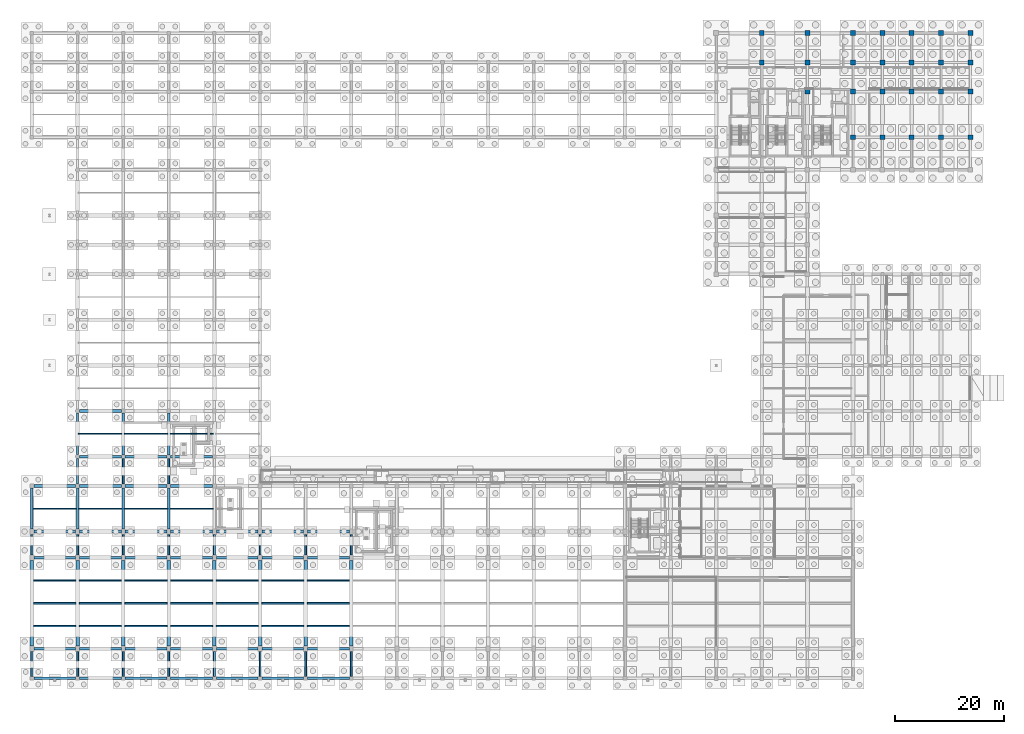
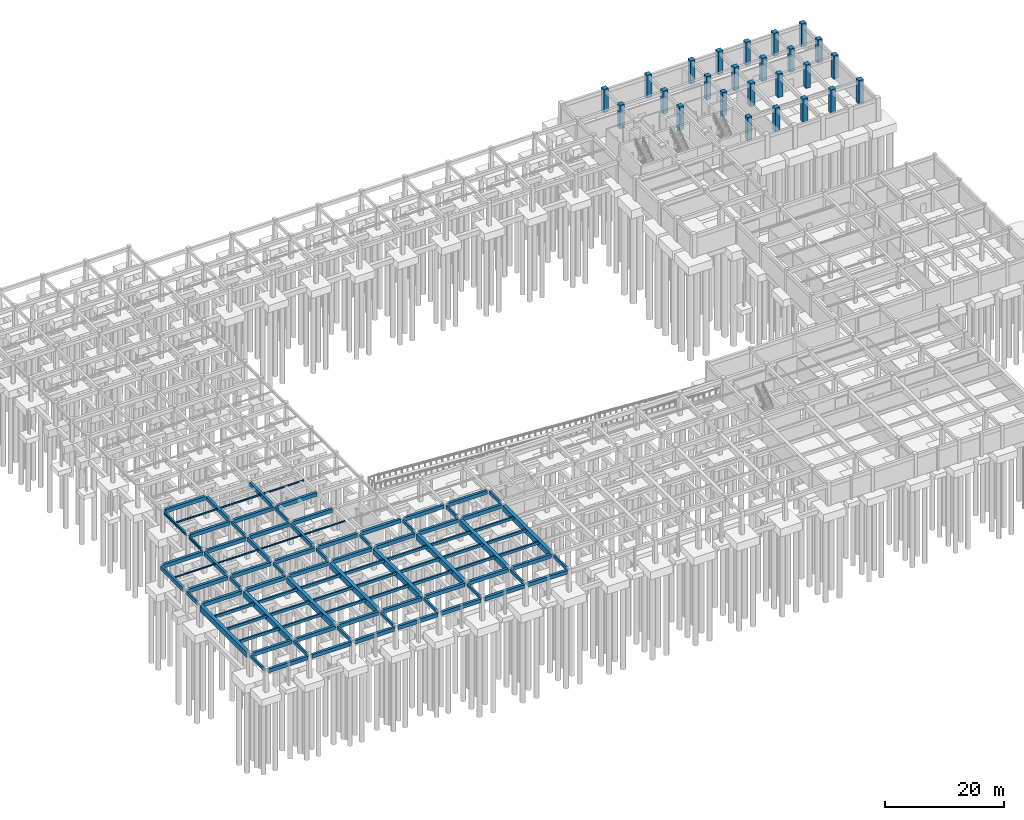
# One storey, part 26 of 49: 98 beams, 25 columns.
"""IFC4 building model written with IfcOpenShell, lengths in metres."""

from ifc_helpers import new_model, si_unit, direction, frame, origin, origin_2d, place, context, subcontext, project, spatial, rectangle, i_section, extrude, material, material_profile, profile_set, type_object, element, save


model = new_model("IFC4")

# Units and contexts
model_context = context("Model", 3, precision=1e-05, world=origin(), true_north=direction((0.0, 1.0)))
body_context = subcontext(model_context, "Body", "Model", "MODEL_VIEW")
ifc_project = project(units=[si_unit("LENGTHUNIT", "METRE"), si_unit("AREAUNIT", "SQUARE_METRE"), si_unit("VOLUMEUNIT", "CUBIC_METRE"), si_unit("PLANEANGLEUNIT", "RADIAN"), si_unit("MASSUNIT", "GRAM", prefix="KILO")], contexts=[model_context])

# Site, building, storey
site_placement = place(None, origin())
site = spatial("IfcSite", under=ifc_project, at=site_placement, CompositionType="ELEMENT")
building_placement = place(site_placement, origin())
building = spatial("IfcBuilding", under=site, at=building_placement, Name="Krzemoval Escarpment Law Courts", CompositionType="ELEMENT")
storey_placement = place(building_placement, frame((0.0, 0.0, -4.800048828125)))
storey = spatial("IfcBuildingStorey", under=building, at=storey_placement, Name="B1", CompositionType="ELEMENT", Elevation=-4.800048828125)

# Columns
ifc_material_1 = material(Name="Concrete C50/60", Category="concrete")
ifc_material_profile_1 = material_profile(ifc_material_1, rectangle(XDim=0.89990234375, YDim=0.89990234375, at=origin_2d()), Name="RC 900x900")
ifc_profile_set_1 = profile_set([ifc_material_profile_1], Name="Concrete C50/60")
column_type = type_object("IfcColumnType", Name="COL-RC-900", PredefinedType="COLUMN", material=ifc_profile_set_1)
for number, where, z_axis, x_axis, name in (
    (1, (134.39990234375, 113.39990234375, 0.0), (0.0, 0.0, 1.0), (1.0, 0.0, 0.0), "Column FC-B1-0198"),
    (2, (134.39990234375, 118.800048828125, 0.0), (0.0, 0.0, 1.0), (1.0, 0.0, 0.0), "Column FC-B1-0199"),
    (3, (142.800048828125, 108.0, 0.0), (0.0, 0.0, 1.0), (1.0, 0.0, 0.0), "Column FC-B1-0214"),
    (4, (142.800048828125, 113.39990234375, 0.0), (0.0, 0.0, 1.0), (1.0, 0.0, 0.0), "Column FC-B1-0215"),
    (5, (142.800048828125, 118.800048828125, 0.0), (0.0, 0.0, 1.0), (1.0, 0.0, 0.0), "Column FC-B1-0216"),
    (6, (151.199951171875, 99.60009765625, 0.0), (0.0, 0.0, 1.0), (1.0, 0.0, 0.0), "Column FC-B1-0228"),
    (7, (151.199951171875, 108.0, 0.0), (0.0, 0.0, 1.0), (1.0, 0.0, 0.0), "Column FC-B1-0229"),
    (8, (151.199951171875, 113.39990234375, 0.0), (0.0, 0.0, 1.0), (1.0, 0.0, 0.0), "Column FC-B1-0230"),
    (9, (151.199951171875, 118.800048828125, 0.0), (0.0, 0.0, 1.0), (1.0, 0.0, 0.0), "Column FC-B1-0231"),
    (10, (156.60009765625, 99.60009765625, 0.0), (0.0, 0.0, 1.0), (1.0, 0.0, 0.0), "Column FC-B1-0238"),
    (11, (156.60009765625, 108.0, 0.0), (0.0, 0.0, 1.0), (1.0, 0.0, 0.0), "Column FC-B1-0239"),
    (12, (156.60009765625, 113.39990234375, 0.0), (0.0, 0.0, 1.0), (1.0, 0.0, 0.0), "Column FC-B1-0240"),
    (13, (156.60009765625, 118.800048828125, 0.0), (0.0, 0.0, 1.0), (1.0, 0.0, 0.0), "Column FC-B1-0241"),
    (14, (162.0, 99.60009765625, 0.0), (0.0, 0.0, 1.0), (1.0, 0.0, 0.0), "Column FC-B1-0248"),
    (15, (162.0, 108.0, 0.0), (0.0, 0.0, 1.0), (1.0, 0.0, 0.0), "Column FC-B1-0249"),
    (16, (162.0, 113.39990234375, 0.0), (0.0, 0.0, 1.0), (1.0, 0.0, 0.0), "Column FC-B1-0250"),
    (17, (162.0, 118.800048828125, 0.0), (0.0, 0.0, 1.0), (1.0, 0.0, 0.0), "Column FC-B1-0251"),
    (18, (167.39990234375, 99.60009765625, 0.0), (0.0, 0.0, 1.0), (1.0, 0.0, 0.0), "Column FC-B1-0258"),
    (19, (167.39990234375, 108.0, 0.0), (0.0, 0.0, 1.0), (1.0, 0.0, 0.0), "Column FC-B1-0259"),
    (20, (167.39990234375, 113.39990234375, 0.0), (0.0, 0.0, 1.0), (1.0, 0.0, 0.0), "Column FC-B1-0260"),
    (21, (167.39990234375, 118.800048828125, 0.0), (0.0, 0.0, 1.0), (1.0, 0.0, 0.0), "Column FC-B1-0261"),
    (22, (172.800048828125, 99.60009765625, 0.0), (0.0, 0.0, 1.0), (1.0, 0.0, 0.0), "Column FC-B1-0268"),
    (23, (172.800048828125, 108.0, 0.0), (0.0, 0.0, 1.0), (1.0, 0.0, 0.0), "Column FC-B1-0269"),
    (24, (172.800048828125, 113.39990234375, 0.0), (0.0, 0.0, 1.0), (1.0, 0.0, 0.0), "Column FC-B1-0270"),
    (25, (172.800048828125, 118.800048828125, 0.0), (0.0, 0.0, 1.0), (1.0, 0.0, 0.0), "Column FC-B1-0271"),
):
    element("IfcColumn", number, at=place(storey_placement, frame(where, z_axis=z_axis, x_axis=x_axis)), inside=storey, type_object=column_type, Name=name, PredefinedType="COLUMN", context=body_context, shape_type="SweptSolid", body=[
        extrude(rectangle(XDim=0.89990234375, YDim=0.89990234375, at=origin_2d()), origin(), (0.0, 0.0, 1.0), 4.800048828125),
    ])

# Beams
ifc_material_2 = material(Name="Concrete C50/60", Category="concrete")
ifc_material_profile_2 = material_profile(ifc_material_2, rectangle(XDim=0.64990234375, YDim=1.14990234375, at=origin_2d()), Name="PTG 650x1150")
ifc_profile_set_2 = profile_set([ifc_material_profile_2], Name="Concrete C50/60")
beam_type_1 = type_object("IfcBeamType", Name="BM-PTG-650x1150", PredefinedType="BEAM", material=ifc_profile_set_2)
for number, where, z_axis, x_axis, name in (
    (26, (0.0, 5.89990234375, 3.925048828125), (0.0, 1.0, 0.0), (-1.0, 0.0, 0.0), "Beam FG-B1-0240"),
    (27, (8.39990234375, 5.89990234375, 3.925048828125), (0.0, 1.0, 0.0), (-1.0, 0.0, 0.0), "Beam FG-B1-0247"),
    (28, (16.800048828125, 5.89990234375, 3.925048828125), (0.0, 1.0, 0.0), (-1.0, 0.0, 0.0), "Beam FG-B1-0263"),
    (29, (25.199951171875, 5.89990234375, 3.925048828125), (0.0, 1.0, 0.0), (-1.0, 0.0, 0.0), "Beam FG-B1-0279"),
    (30, (33.60009765625, 5.89990234375, 3.925048828125), (0.0, 1.0, 0.0), (-1.0, 0.0, 0.0), "Beam FG-B1-0295"),
    (31, (42.0, 5.89990234375, 3.925048828125), (0.0, 1.0, 0.0), (-1.0, 0.0, 0.0), "Beam FG-B1-0311"),
    (32, (50.39990234375, 5.89990234375, 3.925048828125), (0.0, 1.0, 0.0), (-1.0, 0.0, 0.0), "Beam FG-B1-0327"),
    (33, (58.800048828125, 5.89990234375, 3.925048828125), (0.0, 1.0, 0.0), (-1.0, 0.0, 0.0), "Beam FG-B1-0333"),
):
    element("IfcBeam", number, at=place(storey_placement, frame(where, z_axis=z_axis, x_axis=x_axis)), inside=storey, type_object=beam_type_1, Name=name, PredefinedType="BEAM", context=body_context, shape_type="SweptSolid", body=[
        extrude(rectangle(XDim=0.64990234375, YDim=1.14990234375, at=origin_2d()), origin(), (0.0, 0.0, 1.0), 15.800048828125),
    ])
ifc_material_3 = material(Name="Concrete C40/50", Category="concrete")
ifc_material_profile_3 = material_profile(ifc_material_3, rectangle(XDim=0.35009765625, YDim=0.64990234375, at=origin_2d()), Name="RCB 350x650")
ifc_profile_set_3 = profile_set([ifc_material_profile_3], Name="Concrete C40/50")
beam_type_2 = type_object("IfcBeamType", Name="BM-RC-350x650", PredefinedType="BEAM", material=ifc_profile_set_3)
beam_1_placement = place(storey_placement, frame((0.0, 0.35009765625, 4.175048828125), z_axis=(0.0, 1.0, 0.0), x_axis=(-1.0, 0.0, 0.0)))
element("IfcBeam", 34, at=beam_1_placement, inside=storey, type_object=beam_type_2, Name="Beam FG-B1-0239", PredefinedType="BEAM", context=body_context, shape_type="SweptSolid", body=[
    extrude(rectangle(XDim=0.35009765625, YDim=0.64990234375, at=origin_2d()), origin(), (0.0, 0.0, 1.0), 4.5498046875),
])
beam_2_placement = place(storey_placement, frame((0.0, 22.699951171875, 4.175048828125), z_axis=(0.0, 1.0, 0.0), x_axis=(-1.0, 0.0, 0.0)))
element("IfcBeam", 35, at=beam_2_placement, inside=storey, type_object=beam_type_2, Name="Beam FG-B1-0241", PredefinedType="BEAM", context=body_context, shape_type="SweptSolid", body=[
    extrude(rectangle(XDim=0.35009765625, YDim=0.64990234375, at=origin_2d()), origin(), (0.0, 0.0, 1.0), 3.800048828125),
])
beam_3_placement = place(storey_placement, frame((8.39990234375, 0.35009765625, 4.175048828125), z_axis=(0.0, 1.0, 0.0), x_axis=(-1.0, 0.0, 0.0)))
element("IfcBeam", 36, at=beam_3_placement, inside=storey, type_object=beam_type_2, Name="Beam FG-B1-0246", PredefinedType="BEAM", context=body_context, shape_type="SweptSolid", body=[
    extrude(rectangle(XDim=0.35009765625, YDim=0.64990234375, at=origin_2d()), origin(), (0.0, 0.0, 1.0), 4.5498046875),
])
beam_4_placement = place(storey_placement, frame((8.39990234375, 22.699951171875, 4.175048828125), z_axis=(0.0, 1.0, 0.0), x_axis=(-1.0, 0.0, 0.0)))
element("IfcBeam", 37, at=beam_4_placement, inside=storey, type_object=beam_type_2, Name="Beam FG-B1-0248", PredefinedType="BEAM", context=body_context, shape_type="SweptSolid", body=[
    extrude(rectangle(XDim=0.35009765625, YDim=0.64990234375, at=origin_2d()), origin(), (0.0, 0.0, 1.0), 3.800048828125),
])
beam_5_placement = place(storey_placement, frame((16.800048828125, 0.35009765625, 4.175048828125), z_axis=(0.0, 1.0, 0.0), x_axis=(-1.0, 0.0, 0.0)))
element("IfcBeam", 38, at=beam_5_placement, inside=storey, type_object=beam_type_2, Name="Beam FG-B1-0262", PredefinedType="BEAM", context=body_context, shape_type="SweptSolid", body=[
    extrude(rectangle(XDim=0.35009765625, YDim=0.64990234375, at=origin_2d()), origin(), (0.0, 0.0, 1.0), 4.5498046875),
])
beam_6_placement = place(storey_placement, frame((16.800048828125, 22.699951171875, 4.175048828125), z_axis=(0.0, 1.0, 0.0), x_axis=(-1.0, 0.0, 0.0)))
element("IfcBeam", 39, at=beam_6_placement, inside=storey, type_object=beam_type_2, Name="Beam FG-B1-0264", PredefinedType="BEAM", context=body_context, shape_type="SweptSolid", body=[
    extrude(rectangle(XDim=0.35009765625, YDim=0.64990234375, at=origin_2d()), origin(), (0.0, 0.0, 1.0), 3.800048828125),
])
beam_7_placement = place(storey_placement, frame((16.800048828125, 35.75, 4.175048828125), z_axis=(0.0, 1.0, 0.0), x_axis=(-1.0, 0.0, 0.0)))
element("IfcBeam", 40, at=beam_7_placement, inside=storey, type_object=beam_type_2, Name="Beam FG-B1-0266", PredefinedType="BEAM", context=body_context, shape_type="SweptSolid", body=[
    extrude(rectangle(XDim=0.35009765625, YDim=0.64990234375, at=origin_2d()), origin(), (0.0, 0.0, 1.0), 4.72509765625),
])
beam_8_placement = place(storey_placement, frame((25.199951171875, 0.35009765625, 4.175048828125), z_axis=(0.0, 1.0, 0.0), x_axis=(-1.0, 0.0, 0.0)))
element("IfcBeam", 41, at=beam_8_placement, inside=storey, type_object=beam_type_2, Name="Beam FG-B1-0278", PredefinedType="BEAM", context=body_context, shape_type="SweptSolid", body=[
    extrude(rectangle(XDim=0.35009765625, YDim=0.64990234375, at=origin_2d()), origin(), (0.0, 0.0, 1.0), 4.5498046875),
])
beam_9_placement = place(storey_placement, frame((25.199951171875, 22.699951171875, 4.175048828125), z_axis=(0.0, 1.0, 0.0), x_axis=(-1.0, 0.0, 0.0)))
element("IfcBeam", 42, at=beam_9_placement, inside=storey, type_object=beam_type_2, Name="Beam FG-B1-0280", PredefinedType="BEAM", context=body_context, shape_type="SweptSolid", body=[
    extrude(rectangle(XDim=0.35009765625, YDim=0.64990234375, at=origin_2d()), origin(), (0.0, 0.0, 1.0), 3.800048828125),
])
beam_10_placement = place(storey_placement, frame((25.199951171875, 35.75, 4.175048828125), z_axis=(0.0, 1.0, 0.0), x_axis=(-1.0, 0.0, 0.0)))
element("IfcBeam", 43, at=beam_10_placement, inside=storey, type_object=beam_type_2, Name="Beam FG-B1-0282", PredefinedType="BEAM", context=body_context, shape_type="SweptSolid", body=[
    extrude(rectangle(XDim=0.35009765625, YDim=0.64990234375, at=origin_2d()), origin(), (0.0, 0.0, 1.0), 4.72509765625),
])
beam_11_placement = place(storey_placement, frame((33.60009765625, 0.35009765625, 4.175048828125), z_axis=(0.0, 1.0, 0.0), x_axis=(-1.0, 0.0, 0.0)))
element("IfcBeam", 44, at=beam_11_placement, inside=storey, type_object=beam_type_2, Name="Beam FG-B1-0294", PredefinedType="BEAM", context=body_context, shape_type="SweptSolid", body=[
    extrude(rectangle(XDim=0.35009765625, YDim=0.64990234375, at=origin_2d()), origin(), (0.0, 0.0, 1.0), 4.5498046875),
])
beam_12_placement = place(storey_placement, frame((33.60009765625, 22.699951171875, 4.175048828125), z_axis=(0.0, 1.0, 0.0), x_axis=(-1.0, 0.0, 0.0)))
element("IfcBeam", 45, at=beam_12_placement, inside=storey, type_object=beam_type_2, Name="Beam FG-B1-0296", PredefinedType="BEAM", context=body_context, shape_type="SweptSolid", body=[
    extrude(rectangle(XDim=0.35009765625, YDim=0.64990234375, at=origin_2d()), origin(), (0.0, 0.0, 1.0), 3.800048828125),
])
beam_13_placement = place(storey_placement, frame((42.0, 0.35009765625, 4.175048828125), z_axis=(0.0, 1.0, 0.0), x_axis=(-1.0, 0.0, 0.0)))
element("IfcBeam", 46, at=beam_13_placement, inside=storey, type_object=beam_type_2, Name="Beam FG-B1-0310", PredefinedType="BEAM", context=body_context, shape_type="SweptSolid", body=[
    extrude(rectangle(XDim=0.35009765625, YDim=0.64990234375, at=origin_2d()), origin(), (0.0, 0.0, 1.0), 4.5498046875),
])
beam_14_placement = place(storey_placement, frame((42.0, 22.699951171875, 4.175048828125), z_axis=(0.0, 1.0, 0.0), x_axis=(-1.0, 0.0, 0.0)))
element("IfcBeam", 47, at=beam_14_placement, inside=storey, type_object=beam_type_2, Name="Beam FG-B1-0312", PredefinedType="BEAM", context=body_context, shape_type="SweptSolid", body=[
    extrude(rectangle(XDim=0.35009765625, YDim=0.64990234375, at=origin_2d()), origin(), (0.0, 0.0, 1.0), 3.800048828125),
])
beam_15_placement = place(storey_placement, frame((50.39990234375, 0.35009765625, 4.175048828125), z_axis=(0.0, 1.0, 0.0), x_axis=(-1.0, 0.0, 0.0)))
element("IfcBeam", 48, at=beam_15_placement, inside=storey, type_object=beam_type_2, Name="Beam FG-B1-0326", PredefinedType="BEAM", context=body_context, shape_type="SweptSolid", body=[
    extrude(rectangle(XDim=0.35009765625, YDim=0.64990234375, at=origin_2d()), origin(), (0.0, 0.0, 1.0), 4.5498046875),
])
beam_16_placement = place(storey_placement, frame((50.39990234375, 22.699951171875, 4.175048828125), z_axis=(0.0, 1.0, 0.0), x_axis=(-1.0, 0.0, 0.0)))
element("IfcBeam", 49, at=beam_16_placement, inside=storey, type_object=beam_type_2, Name="Beam FG-B1-0328", PredefinedType="BEAM", context=body_context, shape_type="SweptSolid", body=[
    extrude(rectangle(XDim=0.35009765625, YDim=0.64990234375, at=origin_2d()), origin(), (0.0, 0.0, 1.0), 3.800048828125),
])
beam_17_placement = place(storey_placement, frame((58.800048828125, 0.35009765625, 4.175048828125), z_axis=(0.0, 1.0, 0.0), x_axis=(-1.0, 0.0, 0.0)))
element("IfcBeam", 50, at=beam_17_placement, inside=storey, type_object=beam_type_2, Name="Beam FG-B1-0332", PredefinedType="BEAM", context=body_context, shape_type="SweptSolid", body=[
    extrude(rectangle(XDim=0.35009765625, YDim=0.64990234375, at=origin_2d()), origin(), (0.0, 0.0, 1.0), 4.5498046875),
])
beam_18_placement = place(storey_placement, frame((58.800048828125, 22.699951171875, 4.175048828125), z_axis=(0.0, 1.0, 0.0), x_axis=(-1.0, 0.0, 0.0)))
element("IfcBeam", 51, at=beam_18_placement, inside=storey, type_object=beam_type_2, Name="Beam FG-B1-0334", PredefinedType="BEAM", context=body_context, shape_type="SweptSolid", body=[
    extrude(rectangle(XDim=0.35009765625, YDim=0.64990234375, at=origin_2d()), origin(), (0.0, 0.0, 1.0), 3.800048828125),
])
ifc_material_4 = material(Name="Concrete C40/50", Category="concrete")
ifc_material_profile_4 = material_profile(ifc_material_4, rectangle(XDim=0.449951171875, YDim=0.800048828125, at=origin_2d()), Name="RCB 450x800")
ifc_profile_set_4 = profile_set([ifc_material_profile_4], Name="Concrete C40/50")
beam_type_3 = type_object("IfcBeamType", Name="BM-RC-450x800", PredefinedType="BEAM", material=ifc_profile_set_4)
for number, where, z_axis, x_axis, name in (
    (52, (0.0, 27.5, 4.10009765625), (0.0, 1.0, 0.0), (-1.0, 0.0, 0.0), "Beam FG-B1-0242"),
    (53, (8.39990234375, 27.5, 4.10009765625), (0.0, 1.0, 0.0), (-1.0, 0.0, 0.0), "Beam FG-B1-0249"),
    (54, (16.800048828125, 27.5, 4.10009765625), (0.0, 1.0, 0.0), (-1.0, 0.0, 0.0), "Beam FG-B1-0265"),
):
    element("IfcBeam", number, at=place(storey_placement, frame(where, z_axis=z_axis, x_axis=x_axis)), inside=storey, type_object=beam_type_3, Name=name, PredefinedType="BEAM", context=body_context, shape_type="SweptSolid", body=[
        extrude(rectangle(XDim=0.449951171875, YDim=0.800048828125, at=origin_2d()), origin(), (0.0, 0.0, 1.0), 7.550048828125),
    ])
beam_19_placement = place(storey_placement, frame((16.800048828125, 41.125, 4.10009765625), z_axis=(0.0, 1.0, 0.0), x_axis=(-1.0, 0.0, 0.0)))
element("IfcBeam", 55, at=beam_19_placement, inside=storey, type_object=beam_type_3, Name="Beam FG-B1-0267", PredefinedType="BEAM", context=body_context, shape_type="SweptSolid", body=[
    extrude(rectangle(XDim=0.449951171875, YDim=0.800048828125, at=origin_2d()), origin(), (0.0, 0.0, 1.0), 7.75),
])
beam_20_placement = place(storey_placement, frame((25.199951171875, 27.5, 4.10009765625), z_axis=(0.0, 1.0, 0.0), x_axis=(-1.0, 0.0, 0.0)))
element("IfcBeam", 56, at=beam_20_placement, inside=storey, type_object=beam_type_3, Name="Beam FG-B1-0281", PredefinedType="BEAM", context=body_context, shape_type="SweptSolid", body=[
    extrude(rectangle(XDim=0.449951171875, YDim=0.800048828125, at=origin_2d()), origin(), (0.0, 0.0, 1.0), 7.550048828125),
])
beam_21_placement = place(storey_placement, frame((25.199951171875, 41.125, 4.10009765625), z_axis=(0.0, 1.0, 0.0), x_axis=(-1.0, 0.0, 0.0)))
element("IfcBeam", 57, at=beam_21_placement, inside=storey, type_object=beam_type_3, Name="Beam FG-B1-0283", PredefinedType="BEAM", context=body_context, shape_type="SweptSolid", body=[
    extrude(rectangle(XDim=0.449951171875, YDim=0.800048828125, at=origin_2d()), origin(), (0.0, 0.0, 1.0), 7.75),
])
ifc_material_5 = material(Name="Concrete C40/50", Category="concrete")
ifc_material_profile_5 = material_profile(ifc_material_5, rectangle(XDim=0.5, YDim=0.75, at=origin_2d()), Name="RCB 500x750")
ifc_profile_set_5 = profile_set([ifc_material_profile_5], Name="Concrete C40/50")
beam_type_4 = type_object("IfcBeamType", Name="BM-RC-500x750", PredefinedType="BEAM", material=ifc_profile_set_5)
for number, where, z_axis, x_axis, name in (
    (58, (0.35009765625, 0.0, 4.125), (1.0, 0.0, 0.0), (0.0, 1.0, 0.0), "Beam FG-B1-0001"),
    (59, (8.75, 0.0, 4.125), (1.0, 0.0, 0.0), (0.0, 1.0, 0.0), "Beam FG-B1-0002"),
):
    element("IfcBeam", number, at=place(storey_placement, frame(where, z_axis=z_axis, x_axis=x_axis)), inside=storey, type_object=beam_type_4, Name=name, PredefinedType="BEAM", context=body_context, shape_type="SweptSolid", body=[
        extrude(rectangle(XDim=0.5, YDim=0.75, at=origin_2d()), origin(), (0.0, 0.0, 1.0), 7.699951171875),
    ])
beam_22_placement = place(storey_placement, frame((17.14990234375, 0.0, 4.125), z_axis=(1.0, 0.0, 0.0), x_axis=(0.0, 1.0, 0.0)))
element("IfcBeam", 60, at=beam_22_placement, inside=storey, type_object=beam_type_4, Name="Beam FG-B1-0003", PredefinedType="BEAM", context=body_context, shape_type="SweptSolid", body=[
    extrude(rectangle(XDim=0.5, YDim=0.75, at=origin_2d()), origin(), (0.0, 0.0, 1.0), 7.7001953125),
])
for number, where, z_axis, x_axis, name in (
    (61, (25.550048828125, 0.0, 4.125), (1.0, 0.0, 0.0), (0.0, 1.0, 0.0), "Beam FG-B1-0004"),
    (62, (33.949951171875, 0.0, 4.125), (1.0, 0.0, 0.0), (0.0, 1.0, 0.0), "Beam FG-B1-0005"),
    (63, (42.35009765625, 0.0, 4.125), (1.0, 0.0, 0.0), (0.0, 1.0, 0.0), "Beam FG-B1-0006"),
    (64, (50.75, 0.0, 4.125), (1.0, 0.0, 0.0), (0.0, 1.0, 0.0), "Beam FG-B1-0007"),
    (65, (0.35009765625, 5.39990234375, 4.125), (1.0, 0.0, 0.0), (0.0, 1.0, 0.0), "Beam FG-B1-0019"),
    (66, (8.75, 5.39990234375, 4.125), (1.0, 0.0, 0.0), (0.0, 1.0, 0.0), "Beam FG-B1-0020"),
):
    element("IfcBeam", number, at=place(storey_placement, frame(where, z_axis=z_axis, x_axis=x_axis)), inside=storey, type_object=beam_type_4, Name=name, PredefinedType="BEAM", context=body_context, shape_type="SweptSolid", body=[
        extrude(rectangle(XDim=0.5, YDim=0.75, at=origin_2d()), origin(), (0.0, 0.0, 1.0), 7.699951171875),
    ])
beam_23_placement = place(storey_placement, frame((17.14990234375, 5.39990234375, 4.125), z_axis=(1.0, 0.0, 0.0), x_axis=(0.0, 1.0, 0.0)))
element("IfcBeam", 67, at=beam_23_placement, inside=storey, type_object=beam_type_4, Name="Beam FG-B1-0021", PredefinedType="BEAM", context=body_context, shape_type="SweptSolid", body=[
    extrude(rectangle(XDim=0.5, YDim=0.75, at=origin_2d()), origin(), (0.0, 0.0, 1.0), 7.7001953125),
])
for number, where, z_axis, x_axis, name in (
    (68, (25.550048828125, 5.39990234375, 4.125), (1.0, 0.0, 0.0), (0.0, 1.0, 0.0), "Beam FG-B1-0022"),
    (69, (33.949951171875, 5.39990234375, 4.125), (1.0, 0.0, 0.0), (0.0, 1.0, 0.0), "Beam FG-B1-0023"),
    (70, (42.35009765625, 5.39990234375, 4.125), (1.0, 0.0, 0.0), (0.0, 1.0, 0.0), "Beam FG-B1-0024"),
    (71, (50.75, 5.39990234375, 4.125), (1.0, 0.0, 0.0), (0.0, 1.0, 0.0), "Beam FG-B1-0025"),
    (72, (0.35009765625, 22.199951171875, 4.125), (1.0, 0.0, 0.0), (0.0, 1.0, 0.0), "Beam FG-B1-0037"),
    (73, (8.75, 22.199951171875, 4.125), (1.0, 0.0, 0.0), (0.0, 1.0, 0.0), "Beam FG-B1-0038"),
):
    element("IfcBeam", number, at=place(storey_placement, frame(where, z_axis=z_axis, x_axis=x_axis)), inside=storey, type_object=beam_type_4, Name=name, PredefinedType="BEAM", context=body_context, shape_type="SweptSolid", body=[
        extrude(rectangle(XDim=0.5, YDim=0.75, at=origin_2d()), origin(), (0.0, 0.0, 1.0), 7.699951171875),
    ])
beam_24_placement = place(storey_placement, frame((17.14990234375, 22.199951171875, 4.125), z_axis=(1.0, 0.0, 0.0), x_axis=(0.0, 1.0, 0.0)))
element("IfcBeam", 74, at=beam_24_placement, inside=storey, type_object=beam_type_4, Name="Beam FG-B1-0039", PredefinedType="BEAM", context=body_context, shape_type="SweptSolid", body=[
    extrude(rectangle(XDim=0.5, YDim=0.75, at=origin_2d()), origin(), (0.0, 0.0, 1.0), 7.7001953125),
])
for number, where, z_axis, x_axis, name in (
    (75, (25.550048828125, 22.199951171875, 4.125), (1.0, 0.0, 0.0), (0.0, 1.0, 0.0), "Beam FG-B1-0040"),
    (76, (33.949951171875, 22.199951171875, 4.125), (1.0, 0.0, 0.0), (0.0, 1.0, 0.0), "Beam FG-B1-0041"),
    (77, (42.35009765625, 22.199951171875, 4.125), (1.0, 0.0, 0.0), (0.0, 1.0, 0.0), "Beam FG-B1-0042"),
    (78, (50.75, 22.199951171875, 4.125), (1.0, 0.0, 0.0), (0.0, 1.0, 0.0), "Beam FG-B1-0043"),
    (79, (0.35009765625, 27.0, 4.125), (1.0, 0.0, 0.0), (0.0, 1.0, 0.0), "Beam FG-B1-0055"),
    (80, (8.75, 27.0, 4.125), (1.0, 0.0, 0.0), (0.0, 1.0, 0.0), "Beam FG-B1-0056"),
):
    element("IfcBeam", number, at=place(storey_placement, frame(where, z_axis=z_axis, x_axis=x_axis)), inside=storey, type_object=beam_type_4, Name=name, PredefinedType="BEAM", context=body_context, shape_type="SweptSolid", body=[
        extrude(rectangle(XDim=0.5, YDim=0.75, at=origin_2d()), origin(), (0.0, 0.0, 1.0), 7.699951171875),
    ])
beam_25_placement = place(storey_placement, frame((17.14990234375, 27.0, 4.125), z_axis=(1.0, 0.0, 0.0), x_axis=(0.0, 1.0, 0.0)))
element("IfcBeam", 81, at=beam_25_placement, inside=storey, type_object=beam_type_4, Name="Beam FG-B1-0057", PredefinedType="BEAM", context=body_context, shape_type="SweptSolid", body=[
    extrude(rectangle(XDim=0.5, YDim=0.75, at=origin_2d()), origin(), (0.0, 0.0, 1.0), 7.7001953125),
])
for number, where, z_axis, x_axis, name in (
    (82, (25.550048828125, 27.0, 4.125), (1.0, 0.0, 0.0), (0.0, 1.0, 0.0), "Beam FG-B1-0058"),
    (83, (33.949951171875, 27.0, 4.125), (1.0, 0.0, 0.0), (0.0, 1.0, 0.0), "Beam FG-B1-0059"),
    (84, (42.35009765625, 27.0, 4.125), (1.0, 0.0, 0.0), (0.0, 1.0, 0.0), "Beam FG-B1-0060"),
    (85, (50.75, 27.0, 4.125), (1.0, 0.0, 0.0), (0.0, 1.0, 0.0), "Beam FG-B1-0061"),
    (86, (0.35009765625, 35.39990234375, 4.125), (1.0, 0.0, 0.0), (0.0, 1.0, 0.0), "Beam FG-B1-0072"),
    (87, (8.75, 35.39990234375, 4.125), (1.0, 0.0, 0.0), (0.0, 1.0, 0.0), "Beam FG-B1-0073"),
):
    element("IfcBeam", number, at=place(storey_placement, frame(where, z_axis=z_axis, x_axis=x_axis)), inside=storey, type_object=beam_type_4, Name=name, PredefinedType="BEAM", context=body_context, shape_type="SweptSolid", body=[
        extrude(rectangle(XDim=0.5, YDim=0.75, at=origin_2d()), origin(), (0.0, 0.0, 1.0), 7.699951171875),
    ])
beam_26_placement = place(storey_placement, frame((17.14990234375, 35.39990234375, 4.125), z_axis=(1.0, 0.0, 0.0), x_axis=(0.0, 1.0, 0.0)))
element("IfcBeam", 88, at=beam_26_placement, inside=storey, type_object=beam_type_4, Name="Beam FG-B1-0074", PredefinedType="BEAM", context=body_context, shape_type="SweptSolid", body=[
    extrude(rectangle(XDim=0.5, YDim=0.75, at=origin_2d()), origin(), (0.0, 0.0, 1.0), 7.7001953125),
])
beam_27_placement = place(storey_placement, frame((25.550048828125, 35.39990234375, 4.125), z_axis=(1.0, 0.0, 0.0), x_axis=(0.0, 1.0, 0.0)))
element("IfcBeam", 89, at=beam_27_placement, inside=storey, type_object=beam_type_4, Name="Beam FG-B1-0075", PredefinedType="BEAM", context=body_context, shape_type="SweptSolid", body=[
    extrude(rectangle(XDim=0.5, YDim=0.75, at=origin_2d()), origin(), (0.0, 0.0, 1.0), 7.699951171875),
])
beam_28_placement = place(storey_placement, frame((8.77490234375, 40.800048828125, 4.125), z_axis=(1.0, 0.0, 0.0), x_axis=(0.0, 1.0, 0.0)))
element("IfcBeam", 90, at=beam_28_placement, inside=storey, type_object=beam_type_4, Name="Beam FG-B1-0090", PredefinedType="BEAM", context=body_context, shape_type="SweptSolid", body=[
    extrude(rectangle(XDim=0.5, YDim=0.75, at=origin_2d()), origin(), (0.0, 0.0, 1.0), 7.7001953125),
])
for number, where, z_axis, x_axis, name in (
    (91, (17.125, 40.800048828125, 4.125), (1.0, 0.0, 0.0), (0.0, 1.0, 0.0), "Beam FG-B1-0091"),
    (92, (25.52490234375, 40.800048828125, 4.125), (1.0, 0.0, 0.0), (0.0, 1.0, 0.0), "Beam FG-B1-0092"),
):
    element("IfcBeam", number, at=place(storey_placement, frame(where, z_axis=z_axis, x_axis=x_axis)), inside=storey, type_object=beam_type_4, Name=name, PredefinedType="BEAM", context=body_context, shape_type="SweptSolid", body=[
        extrude(rectangle(XDim=0.5, YDim=0.75, at=origin_2d()), origin(), (0.0, 0.0, 1.0), 7.75),
    ])
beam_29_placement = place(storey_placement, frame((8.77490234375, 49.199951171875, 4.125), z_axis=(1.0, 0.0, 0.0), x_axis=(0.0, 1.0, 0.0)))
element("IfcBeam", 93, at=beam_29_placement, inside=storey, type_object=beam_type_4, Name="Beam FG-B1-0103", PredefinedType="BEAM", context=body_context, shape_type="SweptSolid", body=[
    extrude(rectangle(XDim=0.5, YDim=0.75, at=origin_2d()), origin(), (0.0, 0.0, 1.0), 7.7001953125),
])
ifc_material_6 = material(Name="Concrete C40/50", Category="concrete")
ifc_material_profile_6 = material_profile(ifc_material_6, rectangle(XDim=0.300048828125, YDim=0.550048828125, at=origin_2d()), Name="RCB 300x550")
ifc_profile_set_6 = profile_set([ifc_material_profile_6], Name="Concrete C40/50")
beam_type_5 = type_object("IfcBeamType", Name="JST-RC-300x550", PredefinedType="JOIST", material=ifc_profile_set_6)
for number, where, z_axis, x_axis, name in (
    (94, (0.324951171875, 9.60009765625, 4.22509765625), (1.0, 0.0, 0.0), (0.0, 1.0, 0.0), "Secondary Joist FJ-B1-0470"),
    (95, (0.324951171875, 13.800048828125, 4.22509765625), (1.0, 0.0, 0.0), (0.0, 1.0, 0.0), "Secondary Joist FJ-B1-0471"),
    (96, (0.324951171875, 18.0, 4.22509765625), (1.0, 0.0, 0.0), (0.0, 1.0, 0.0), "Secondary Joist FJ-B1-0472"),
    (97, (8.72509765625, 9.60009765625, 4.22509765625), (1.0, 0.0, 0.0), (0.0, 1.0, 0.0), "Secondary Joist FJ-B1-0475"),
    (98, (8.72509765625, 13.800048828125, 4.22509765625), (1.0, 0.0, 0.0), (0.0, 1.0, 0.0), "Secondary Joist FJ-B1-0476"),
    (99, (8.72509765625, 18.0, 4.22509765625), (1.0, 0.0, 0.0), (0.0, 1.0, 0.0), "Secondary Joist FJ-B1-0477"),
    (100, (17.125, 9.60009765625, 4.22509765625), (1.0, 0.0, 0.0), (0.0, 1.0, 0.0), "Secondary Joist FJ-B1-0485"),
    (101, (17.125, 13.800048828125, 4.22509765625), (1.0, 0.0, 0.0), (0.0, 1.0, 0.0), "Secondary Joist FJ-B1-0486"),
    (102, (17.125, 18.0, 4.22509765625), (1.0, 0.0, 0.0), (0.0, 1.0, 0.0), "Secondary Joist FJ-B1-0487"),
    (103, (25.52490234375, 9.60009765625, 4.22509765625), (1.0, 0.0, 0.0), (0.0, 1.0, 0.0), "Secondary Joist FJ-B1-0495"),
    (104, (25.52490234375, 13.800048828125, 4.22509765625), (1.0, 0.0, 0.0), (0.0, 1.0, 0.0), "Secondary Joist FJ-B1-0496"),
    (105, (25.52490234375, 18.0, 4.22509765625), (1.0, 0.0, 0.0), (0.0, 1.0, 0.0), "Secondary Joist FJ-B1-0497"),
    (106, (33.925048828125, 9.60009765625, 4.22509765625), (1.0, 0.0, 0.0), (0.0, 1.0, 0.0), "Secondary Joist FJ-B1-0505"),
    (107, (33.925048828125, 13.800048828125, 4.22509765625), (1.0, 0.0, 0.0), (0.0, 1.0, 0.0), "Secondary Joist FJ-B1-0506"),
    (108, (33.925048828125, 18.0, 4.22509765625), (1.0, 0.0, 0.0), (0.0, 1.0, 0.0), "Secondary Joist FJ-B1-0507"),
    (109, (42.324951171875, 9.60009765625, 4.22509765625), (1.0, 0.0, 0.0), (0.0, 1.0, 0.0), "Secondary Joist FJ-B1-0515"),
    (110, (42.324951171875, 13.800048828125, 4.22509765625), (1.0, 0.0, 0.0), (0.0, 1.0, 0.0), "Secondary Joist FJ-B1-0516"),
    (111, (42.324951171875, 18.0, 4.22509765625), (1.0, 0.0, 0.0), (0.0, 1.0, 0.0), "Secondary Joist FJ-B1-0517"),
    (112, (50.72509765625, 9.60009765625, 4.22509765625), (1.0, 0.0, 0.0), (0.0, 1.0, 0.0), "Secondary Joist FJ-B1-0520"),
    (113, (50.72509765625, 13.800048828125, 4.22509765625), (1.0, 0.0, 0.0), (0.0, 1.0, 0.0), "Secondary Joist FJ-B1-0521"),
    (114, (50.72509765625, 18.0, 4.22509765625), (1.0, 0.0, 0.0), (0.0, 1.0, 0.0), "Secondary Joist FJ-B1-0522"),
):
    element("IfcBeam", number, at=place(storey_placement, frame(where, z_axis=z_axis, x_axis=x_axis)), inside=storey, type_object=beam_type_5, Name=name, PredefinedType="JOIST", context=body_context, shape_type="SweptSolid", body=[
        extrude(rectangle(XDim=0.300048828125, YDim=0.550048828125, at=origin_2d()), origin(), (0.0, 0.0, 1.0), 7.75),
    ])
ifc_material_7 = material(Name="Steel S355", Category="steel")
ifc_material_profile_7 = material_profile(ifc_material_7, i_section(OverallWidth=0.14990234375, OverallDepth=0.300048828125, WebThickness=0.007080078125, FlangeThickness=0.0107421875, at=origin_2d()), Name="IPE 300")
ifc_profile_set_7 = profile_set([ifc_material_profile_7], Name="Steel S355")
beam_type_6 = type_object("IfcBeamType", Name="JST-S355-IPE300", PredefinedType="JOIST", material=ifc_profile_set_7)
for number, where, z_axis, x_axis, name in (
    (115, (0.22509765625, 31.199951171875, 4.35009765625), (1.0, 0.0, 0.0), (0.0, 1.0, 0.0), "Secondary Joist FJ-B1-0473"),
    (116, (8.625, 31.199951171875, 4.35009765625), (1.0, 0.0, 0.0), (0.0, 1.0, 0.0), "Secondary Joist FJ-B1-0478"),
):
    element("IfcBeam", number, at=place(storey_placement, frame(where, z_axis=z_axis, x_axis=x_axis)), inside=storey, type_object=beam_type_6, Name=name, PredefinedType="JOIST", context=body_context, shape_type="SweptSolid", body=[
        extrude(i_section(OverallWidth=0.14990234375, OverallDepth=0.300048828125, WebThickness=0.007080078125, FlangeThickness=0.0107421875, at=origin_2d()), origin(), (0.0, 0.0, 1.0), 7.949951171875),
    ])
beam_30_placement = place(storey_placement, frame((17.02490234375, 31.199951171875, 4.35009765625), z_axis=(1.0, 0.0, 0.0), x_axis=(0.0, 1.0, 0.0)))
element("IfcBeam", 117, at=beam_30_placement, inside=storey, type_object=beam_type_6, Name="Secondary Joist FJ-B1-0488", PredefinedType="JOIST", context=body_context, shape_type="SweptSolid", body=[
    extrude(i_section(OverallWidth=0.14990234375, OverallDepth=0.300048828125, WebThickness=0.007080078125, FlangeThickness=0.0107421875, at=origin_2d()), origin(), (0.0, 0.0, 1.0), 7.9501953125),
])
beam_31_placement = place(storey_placement, frame((25.425048828125, 31.199951171875, 4.35009765625), z_axis=(1.0, 0.0, 0.0), x_axis=(0.0, 1.0, 0.0)))
element("IfcBeam", 118, at=beam_31_placement, inside=storey, type_object=beam_type_6, Name="Secondary Joist FJ-B1-0498", PredefinedType="JOIST", context=body_context, shape_type="SweptSolid", body=[
    extrude(i_section(OverallWidth=0.14990234375, OverallDepth=0.300048828125, WebThickness=0.007080078125, FlangeThickness=0.0107421875, at=origin_2d()), origin(), (0.0, 0.0, 1.0), 7.949951171875),
])
ifc_material_8 = material(Name="Steel S355", Category="steel")
ifc_material_profile_8 = material_profile(ifc_material_8, i_section(OverallWidth=0.159912109375, OverallDepth=0.330078125, WebThickness=0.007568359375, FlangeThickness=0.011474609375, at=origin_2d()), Name="IPE 330")
ifc_profile_set_8 = profile_set([ifc_material_profile_8], Name="Steel S355")
beam_type_7 = type_object("IfcBeamType", Name="JST-S355-IPE330", PredefinedType="JOIST", material=ifc_profile_set_8)
beam_32_placement = place(storey_placement, frame((8.550048828125, 45.0, 4.3349609375), z_axis=(1.0, 0.0, 0.0), x_axis=(0.0, 1.0, 0.0)))
element("IfcBeam", 119, at=beam_32_placement, inside=storey, type_object=beam_type_7, Name="Secondary Joist FJ-B1-0479", PredefinedType="JOIST", context=body_context, shape_type="SweptSolid", body=[
    extrude(i_section(OverallWidth=0.159912109375, OverallDepth=0.330078125, WebThickness=0.007568359375, FlangeThickness=0.011474609375, at=origin_2d()), origin(), (0.0, 0.0, 1.0), 8.02490234375),
])
beam_33_placement = place(storey_placement, frame((17.02490234375, 45.0, 4.3349609375), z_axis=(1.0, 0.0, 0.0), x_axis=(0.0, 1.0, 0.0)))
element("IfcBeam", 120, at=beam_33_placement, inside=storey, type_object=beam_type_7, Name="Secondary Joist FJ-B1-0489", PredefinedType="JOIST", context=body_context, shape_type="SweptSolid", body=[
    extrude(i_section(OverallWidth=0.159912109375, OverallDepth=0.330078125, WebThickness=0.007568359375, FlangeThickness=0.011474609375, at=origin_2d()), origin(), (0.0, 0.0, 1.0), 7.9501953125),
])
beam_34_placement = place(storey_placement, frame((25.425048828125, 45.0, 4.3349609375), z_axis=(1.0, 0.0, 0.0), x_axis=(0.0, 1.0, 0.0)))
element("IfcBeam", 121, at=beam_34_placement, inside=storey, type_object=beam_type_7, Name="Secondary Joist FJ-B1-0499", PredefinedType="JOIST", context=body_context, shape_type="SweptSolid", body=[
    extrude(i_section(OverallWidth=0.159912109375, OverallDepth=0.330078125, WebThickness=0.007568359375, FlangeThickness=0.011474609375, at=origin_2d()), origin(), (0.0, 0.0, 1.0), 7.949951171875),
])
ifc_material_9 = material(Name="Steel S355", Category="steel")
ifc_material_profile_9 = material_profile(ifc_material_9, i_section(OverallWidth=0.300048828125, OverallDepth=0.60009765625, WebThickness=0.015380859375, FlangeThickness=0.030029296875, at=origin_2d()), Name="HEB 600")
ifc_profile_set_9 = profile_set([ifc_material_profile_9], Name="Steel S355")
beam_type_8 = type_object("IfcBeamType", Name="SPN-S355-HEB600", PredefinedType="SPANDREL", material=ifc_profile_set_9)
beam_35_placement = place(storey_placement, frame((8.39990234375, 35.75, 4.199951171875), z_axis=(0.0, 1.0, 0.0), x_axis=(-1.0, 0.0, 0.0)))
element("IfcBeam", 122, at=beam_35_placement, inside=storey, type_object=beam_type_8, Name="Beam FG-B1-0250", PredefinedType="SPANDREL", context=body_context, shape_type="SweptSolid", body=[
    extrude(i_section(OverallWidth=0.300048828125, OverallDepth=0.60009765625, WebThickness=0.015380859375, FlangeThickness=0.030029296875, at=origin_2d()), origin(), (0.0, 0.0, 1.0), 4.675048828125),
])
beam_36_placement = place(storey_placement, frame((8.39990234375, 41.175048828125, 4.199951171875), z_axis=(0.0, 1.0, 0.0), x_axis=(-1.0, 0.0, 0.0)))
element("IfcBeam", 123, at=beam_36_placement, inside=storey, type_object=beam_type_8, Name="Beam FG-B1-0251", PredefinedType="SPANDREL", context=body_context, shape_type="SweptSolid", body=[
    extrude(i_section(OverallWidth=0.300048828125, OverallDepth=0.60009765625, WebThickness=0.015380859375, FlangeThickness=0.030029296875, at=origin_2d()), origin(), (0.0, 0.0, 1.0), 7.64990234375),
])

save(model, "model.ifc")
